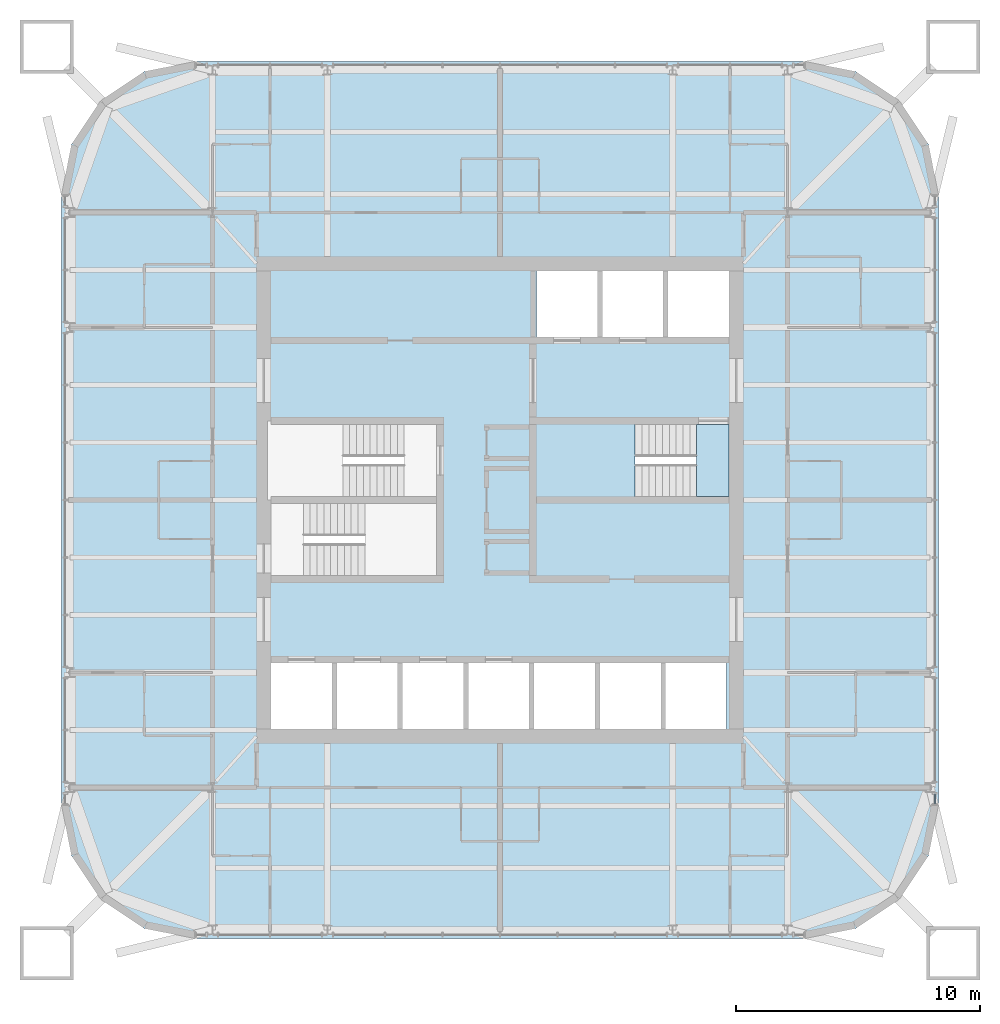
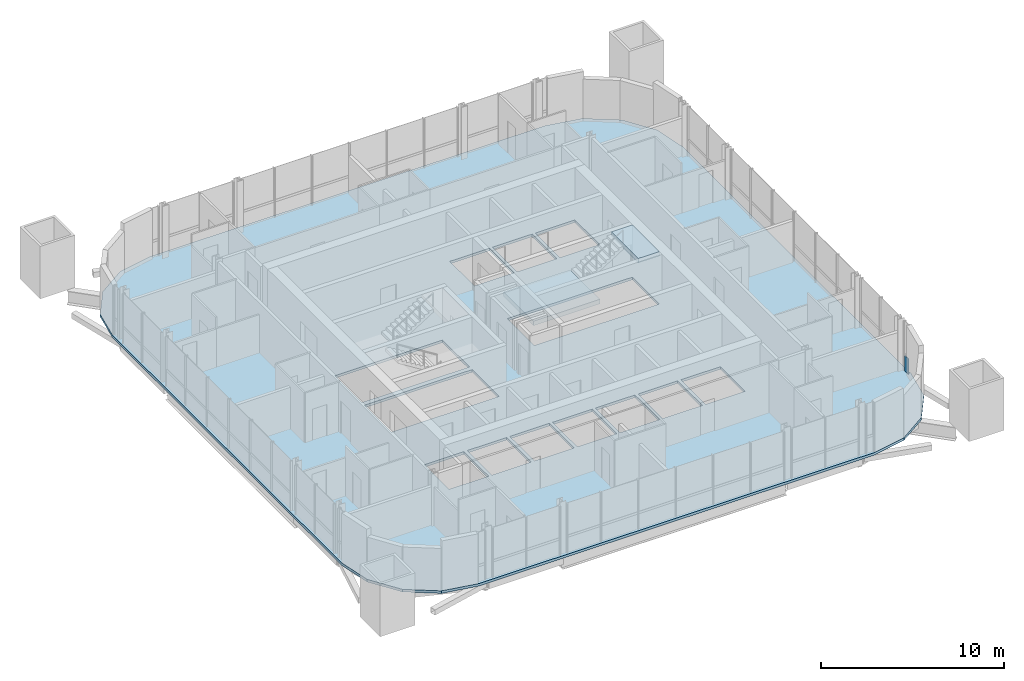
# One storey, part 9 of 16: 3 slabs, 1 plate, 2 elements without a shape of their own.
"""IFC4 building model written with IfcOpenShell, lengths in metres."""

from ifc_helpers import new_model, si_unit, direction, frame, origin, origin_2d, place, context, subcontext, project, spatial, polyline, rectangle, outline, extrude, material, layer, layer_set, type_object, element, aggregate, save


model = new_model("IFC4")

# Units and contexts
model_context = context("Model", 3, precision=1e-05, world=origin(), true_north=direction((0.0, 1.0)))
body_context = subcontext(model_context, "Body", "Model", "MODEL_VIEW")
ifc_project = project(units=[si_unit("LENGTHUNIT", "METRE"), si_unit("AREAUNIT", "SQUARE_METRE"), si_unit("VOLUMEUNIT", "CUBIC_METRE"), si_unit("PLANEANGLEUNIT", "RADIAN"), si_unit("MASSUNIT", "GRAM", prefix="KILO")], contexts=[model_context])

# Site, building, storey
site_placement = place(None, origin())
site = spatial("IfcSite", under=ifc_project, at=site_placement, CompositionType="ELEMENT")
building_placement = place(site_placement, origin())
building = spatial("IfcBuilding", under=site, at=building_placement, Name="Turquesa Mirador Hotel Tower", CompositionType="ELEMENT")
storey_placement = place(building_placement, frame((0.0, 0.0, 230.199951171875)))
storey = spatial("IfcBuildingStorey", under=building, at=storey_placement, Name="L62", CompositionType="ELEMENT", Elevation=230.199951171875)

# Slab
ifc_material_1 = material(Name="Concrete C28/35", Category="concrete")
ifc_layer_1 = layer(ifc_material_1, 0.169921875)
ifc_layer_set_1 = layer_set([ifc_layer_1], Name="COMPOSITE FLOOR SLAB 170")
slab_type_1 = type_object("IfcSlabType", Name="COMPOSITE FLOOR SLAB 170", PredefinedType="FLOOR", material=ifc_layer_set_1)
slab_1_placement = place(storey_placement, frame((0.0, 0.0, -0.169921875)))
element("IfcSlab", 1, at=slab_1_placement, inside=storey, type_object=slab_type_1, Name="Floor slab L62", PredefinedType="FLOOR", context=body_context, shape_type="SweptSolid", body=[
    extrude(outline(polyline([(67.5, 27.0), (69.604736328125, 27.418701171875), (71.38916015625, 28.61083984375), (72.581298828125, 30.395263671875), (73.0, 32.5), (73.0, 57.5), (72.581298828125, 59.604736328125), (71.38916015625, 61.38916015625), (69.604736328125, 62.581298828125), (67.5, 63.0), (42.5, 63.0), (40.395263671875, 62.581298828125), (38.61083984375, 61.38916015625), (37.418701171875, 59.604736328125), (37.0, 57.5), (37.0, 32.5), (37.418701171875, 30.395263671875), (38.61083984375, 28.61083984375), (40.395263671875, 27.418701171875), (42.5, 27.0), (67.5, 27.0)]), holes=[polyline([(56.5, 51.699951171875), (59.0, 51.699951171875), (59.0, 54.39990234375), (56.5, 54.39990234375), (56.5, 51.699951171875)]), polyline([(59.199951171875, 51.699951171875), (61.699951171875, 51.699951171875), (61.699951171875, 54.39990234375), (59.199951171875, 54.39990234375), (59.199951171875, 51.699951171875)]), polyline([(45.60009765625, 35.60009765625), (48.10009765625, 35.60009765625), (48.10009765625, 38.300048828125), (45.60009765625, 38.300048828125), (45.60009765625, 35.60009765625)]), polyline([(48.300048828125, 35.60009765625), (50.800048828125, 35.60009765625), (50.800048828125, 38.300048828125), (48.300048828125, 38.300048828125), (48.300048828125, 35.60009765625)]), polyline([(51.0, 35.60009765625), (53.5, 35.60009765625), (53.5, 38.300048828125), (51.0, 38.300048828125), (51.0, 35.60009765625)]), polyline([(53.699951171875, 35.60009765625), (56.199951171875, 35.60009765625), (56.199951171875, 38.300048828125), (53.699951171875, 38.300048828125), (53.699951171875, 35.60009765625)]), polyline([(56.39990234375, 35.60009765625), (58.89990234375, 35.60009765625), (58.89990234375, 38.300048828125), (56.39990234375, 38.300048828125), (56.39990234375, 35.60009765625)]), polyline([(59.10009765625, 35.60009765625), (61.60009765625, 35.60009765625), (61.60009765625, 38.300048828125), (59.10009765625, 38.300048828125), (59.10009765625, 35.60009765625)]), polyline([(61.800048828125, 35.60009765625), (64.300048828125, 35.60009765625), (64.300048828125, 38.300048828125), (61.800048828125, 38.300048828125), (61.800048828125, 35.60009765625)]), polyline([(45.60009765625, 45.14990234375), (52.39990234375, 45.14990234375), (52.39990234375, 48.10009765625), (45.60009765625, 48.10009765625), (45.60009765625, 45.14990234375)]), polyline([(45.60009765625, 41.89990234375), (52.39990234375, 41.89990234375), (52.39990234375, 44.85009765625), (45.60009765625, 44.85009765625), (45.60009765625, 41.89990234375)]), polyline([(56.5, 45.14990234375), (64.39990234375, 45.14990234375), (64.39990234375, 48.10009765625), (56.5, 48.10009765625), (56.5, 45.14990234375)]), polyline([(61.89990234375, 51.699951171875), (64.39990234375, 51.699951171875), (64.39990234375, 54.39990234375), (61.89990234375, 54.39990234375), (61.89990234375, 51.699951171875)])]), origin(), (0.0, 0.0, 1.0), 0.169921875),
])

# Curtain wall, plate
ifc_material_2 = material(Name="Aluminium extrusion", Category="aluminium")
curtain_wall_type = type_object("IfcCurtainWallType", Name="CW-4 SUITE FRITTED CURTAIN WALL", PredefinedType="USERDEFINED", material=ifc_material_2)
curtain_wall_placement = place(storey_placement, origin())
curtain_wall = element("IfcCurtainWall", 2, at=curtain_wall_placement, inside=storey, type_object=curtain_wall_type, Name="CW-4 SUITE FRITTED CURTAIN WALL L62", ObjectType="CURTAIN WALL", PredefinedType="USERDEFINED")
ifc_material_3 = material(Name="Ceramic-printed spandrel glass on an insulated back pan", Category="glass")
ifc_layer_2 = layer(ifc_material_3, 0.050048828125)
ifc_layer_set_2 = layer_set([ifc_layer_2], Name="CW PANEL SPANDREL CERAMIC")
plate_type = type_object("IfcPlateType", Name="CW PANEL SPANDREL CERAMIC", PredefinedType="CURTAIN_PANEL", material=ifc_layer_set_2)
plate_placement = place(storey_placement, frame((72.85009765625, 32.733154296875, 0.0), z_axis=(0.0, 0.0, 1.0), x_axis=(0.0, 1.0, 0.0)))
plate = element("IfcPlate", 3, at=plate_placement, type_object=plate_type, Name="Panel", PredefinedType="CURTAIN_PANEL", context=body_context, shape_type="SweptSolid", body=[
    extrude(rectangle(XDim=0.401123046875, YDim=0.050048828125, at=origin_2d()), origin(), (0.0, 0.0, 1.0), 1.02490234375),
])
aggregate(curtain_wall, [plate])

# Stair, slabs
ifc_material_4 = material(Name="Concrete C35/45", Category="concrete")
stair_type = type_object("IfcStairType", Name="ESCAPE STAIR CORE", PredefinedType="HALF_TURN_STAIR", material=ifc_material_4)
stair_placement = place(storey_placement, origin())
stair = element("IfcStair", 4, at=stair_placement, inside=storey, type_object=stair_type, Name="Stair ST3 L62 to L63", PredefinedType="HALF_TURN_STAIR")
ifc_material_5 = material(Name="Concrete C35/45", Category="concrete")
ifc_layer_3 = layer(ifc_material_5, 0.300048828125)
ifc_layer_set_3 = layer_set([ifc_layer_3], Name="STAIR LANDING 300")
slab_type_2 = type_object("IfcSlabType", Name="STAIR LANDING 300", PredefinedType="LANDING", material=ifc_layer_set_3)
slab_2_placement = place(storey_placement, frame((0.0, 0.0, 1.449951171875)))
slab_2 = element("IfcSlab", 5, at=slab_2_placement, type_object=slab_type_2, Name="ST3 landing 1", PredefinedType="LANDING", context=body_context, shape_type="SweptSolid", body=[
    extrude(outline(polyline([(56.35009765625, 45.0), (60.550048828125, 45.0), (60.550048828125, 48.25), (56.35009765625, 48.25), (56.35009765625, 45.0)])), origin(), (0.0, 0.0, 1.0), 0.300048828125),
])
slab_3_placement = place(storey_placement, frame((0.0, 0.0, 3.199951171875)))
slab_3 = element("IfcSlab", 6, at=slab_3_placement, type_object=slab_type_2, Name="ST3 landing 2", PredefinedType="LANDING", context=body_context, shape_type="SweptSolid", body=[
    extrude(outline(polyline([(63.070068359375, 45.14990234375), (64.39990234375, 45.14990234375), (64.39990234375, 48.10009765625), (63.070068359375, 48.10009765625), (63.070068359375, 45.14990234375)])), origin(), (0.0, 0.0, 1.0), 0.300048828125),
])
aggregate(stair, [slab_2, slab_3])

save(model, "model.ifc")
